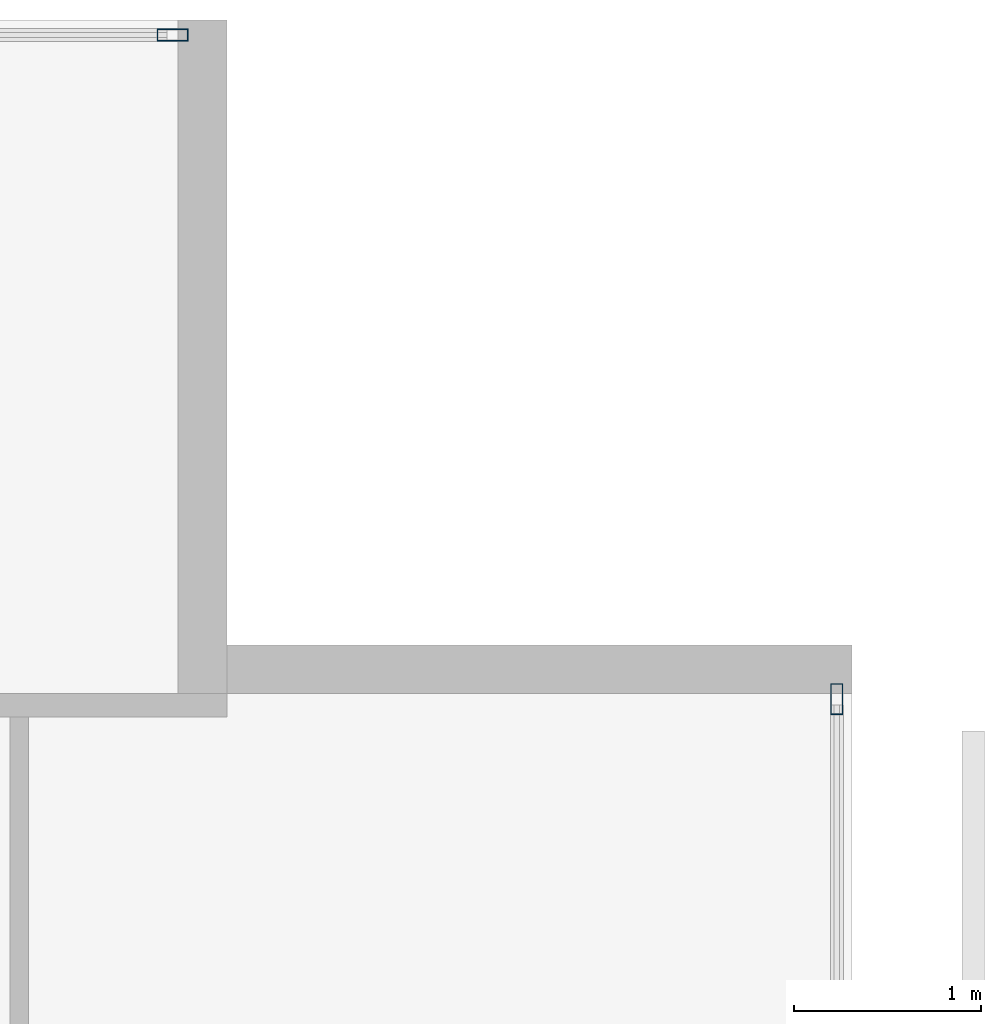
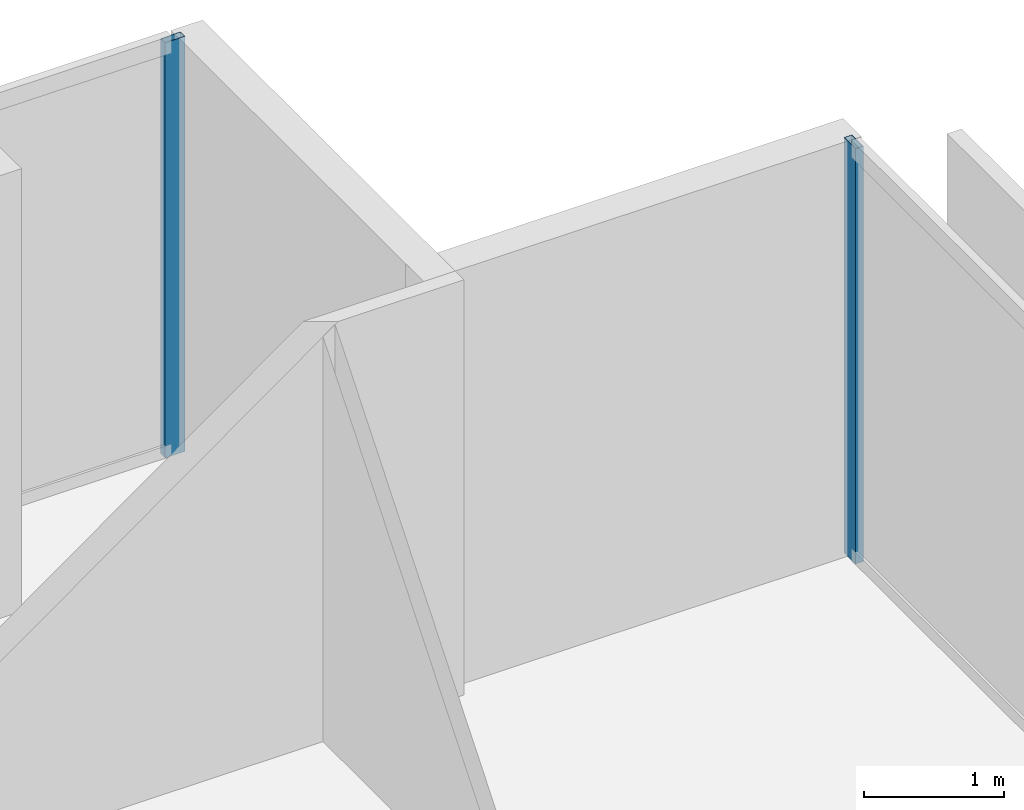
# One storey, part 31 of 40: 2 members, 2 elements without a shape of their own.
"""IFC4 building model written with IfcOpenShell, lengths in metres."""

from ifc_helpers import new_model, si_unit, direction, frame, origin, origin_2d, place, context, subcontext, project, spatial, hollow_rectangle, extrude, material, layer, layer_set, material_profile, profile_set, type_object, element, aggregate, save


model = new_model("IFC4")

# Units and contexts
model_context = context("Model", 3, precision=1e-05, world=origin(), true_north=direction((0.0, 1.0)))
body_context = subcontext(model_context, "Body", "Model", "MODEL_VIEW")
ifc_project = project(units=[si_unit("LENGTHUNIT", "METRE"), si_unit("AREAUNIT", "SQUARE_METRE"), si_unit("VOLUMEUNIT", "CUBIC_METRE"), si_unit("PLANEANGLEUNIT", "RADIAN"), si_unit("MASSUNIT", "GRAM", prefix="KILO")], contexts=[model_context])

# Site, building, storey
site_placement = place(None, origin())
site = spatial("IfcSite", under=ifc_project, at=site_placement, CompositionType="ELEMENT")
building_placement = place(site_placement, origin())
building = spatial("IfcBuilding", under=site, at=building_placement, Name="Maruvema Waterfront Hotel and Observation Tower", CompositionType="ELEMENT")
storey_placement = place(building_placement, frame((0.0, 0.0, 73.14990234375)))
storey = spatial("IfcBuildingStorey", under=building, at=storey_placement, Name="L17", CompositionType="ELEMENT", Elevation=73.14990234375)

# Curtain wall, member
ifc_material_1 = material(Name="Anodised bronze aluminium and solar-control low-E IGU", Category="aluminium")
ifc_layer = layer(ifc_material_1, 0.159912109375, Name="Zone 1 Bronze Inner Thermal Curtain Wall System CW-02")
ifc_layer_set = layer_set([ifc_layer], Name="Anodised bronze aluminium and solar-control low-E IGU")
curtain_wall_type = type_object("IfcCurtainWallType", Name="Zone 1 Bronze Inner Thermal Curtain Wall System CW-02", PredefinedType="USERDEFINED", material=ifc_layer_set)
curtain_wall_1_placement = place(storey_placement, origin())
curtain_wall_1 = element("IfcCurtainWall", 1, at=curtain_wall_1_placement, inside=storey, type_object=curtain_wall_type, Name="L17 Curtain Wall CW-L17-E", ObjectType="UNITISED CURTAIN WALL", PredefinedType="USERDEFINED")
ifc_material_2 = material(Name="Anodised architectural bronze aluminium", Category="aluminium")
ifc_material_profile = material_profile(ifc_material_2, hollow_rectangle(XDim=0.06494140625, YDim=0.1650390625, WallThickness=0.00390625, at=origin_2d()), Name="ALU-M65x165")
ifc_profile_set = profile_set([ifc_material_profile], Name="Anodised architectural bronze aluminium")
member_type = type_object("IfcMemberType", Name="Curtain Wall Primary Mullion ALU-M65x165", PredefinedType="MULLION", material=ifc_profile_set)
member_1_placement = place(storey_placement, frame((64.719970703125, 50.3701171875, 0.0), z_axis=(0.0, 0.0, 1.0), x_axis=(-1.0, 0.0, 0.0)))
member_1 = element("IfcMember", 2, at=member_1_placement, type_object=member_type, Name="CW-02 mullion 7", PredefinedType="MULLION", context=body_context, shape_type="SweptSolid", body=[
    extrude(hollow_rectangle(XDim=0.06494140625, YDim=0.1650390625, WallThickness=0.00390625, at=origin_2d()), origin(), (0.0, 0.0, 1.0), 3.610107421875),
])
aggregate(curtain_wall_1, [member_1])

curtain_wall_2_placement = place(storey_placement, origin())
curtain_wall_2 = element("IfcCurtainWall", 3, at=curtain_wall_2_placement, inside=storey, type_object=curtain_wall_type, Name="L17 Curtain Wall CW-L17-NE", ObjectType="UNITISED CURTAIN WALL", PredefinedType="USERDEFINED")
member_2_placement = place(storey_placement, frame((61.169921875, 53.919921875, 0.0), z_axis=(0.0, 0.0, 1.0), x_axis=(0.0, -1.0, 0.0)))
member_2 = element("IfcMember", 4, at=member_2_placement, type_object=member_type, Name="CW-02 mullion 1", PredefinedType="MULLION", context=body_context, shape_type="SweptSolid", body=[
    extrude(hollow_rectangle(XDim=0.06494140625, YDim=0.1650390625, WallThickness=0.00390625, at=origin_2d()), origin(), (0.0, 0.0, 1.0), 3.610107421875),
])
aggregate(curtain_wall_2, [member_2])

save(model, "model.ifc")
